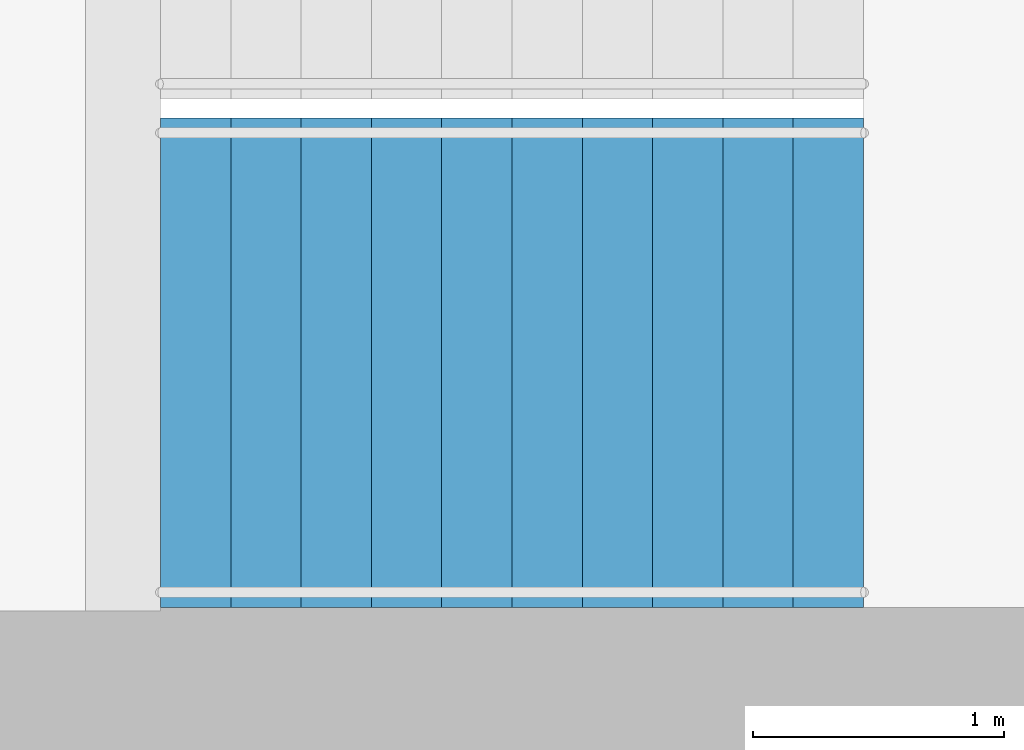
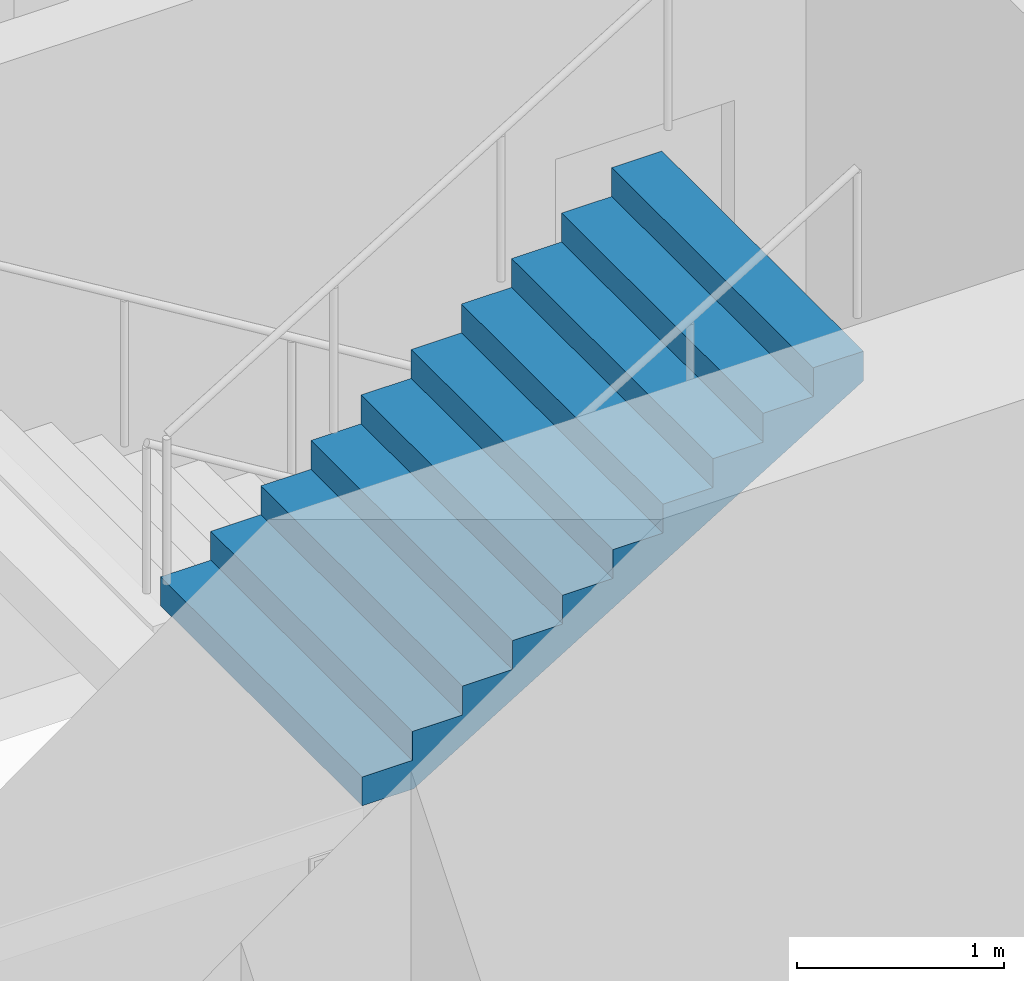
# One storey, part 19 of 21: 1 stair flight, 1 element without a shape of its own.
"""IFC4 building model written with IfcOpenShell, lengths in metres."""

import ifcopenshell
import ifcopenshell.guid

model = None  # the IFC model being written
_history = None  # IfcOwnerHistory: only IFC2X3 demands one
_inside = {}  # id of a spatial element -> (the spatial element, [elements in it])
_under = {}  # id of a project, library or spatial element -> (it, [spatial elements below it])
_declared = {}  # id of a project -> (the project, [libraries it declares])
_typed = {}  # id of a type object -> (the type object, [elements of that type])
_made_of = {}  # id of a material, layer set ... -> (it, [elements and type objects made of it])


def new_model(schema):
    """Start an empty IFC model of exactly this schema.

    Asked for "IFC4X3", IfcOpenShell would pick the latest addendum, in which some entities
    have other attributes; the version numbers below select the first issue.
    IFC2X3 requires an IfcOwnerHistory on every rooted entity: one is made here for all.
    """
    global model, _history
    if schema == "IFC4X3":
        model = ifcopenshell.file(schema_version=(4, 3, 0, 0))
    else:
        model = ifcopenshell.file(schema=schema)
    _inside.clear()
    _under.clear()
    _declared.clear()
    _typed.clear()
    _made_of.clear()
    _history = None
    if model.schema == "IFC2X3":
        org = make("IfcOrganization", Name="unknown")
        user = make(
            "IfcPersonAndOrganization",
            ThePerson=make("IfcPerson", FamilyName="unknown"),
            TheOrganization=org,
        )
        app = make(
            "IfcApplication",
            ApplicationDeveloper=org,
            Version="unknown",
            ApplicationFullName="unknown",
            ApplicationIdentifier="unknown",
        )
        _history = make(
            "IfcOwnerHistory",
            OwningUser=user,
            OwningApplication=app,
            ChangeAction="ADDED",
            CreationDate=0,
        )
    return model


def make(cls, **values):
    """One entity of the class cls with the attributes given. An attribute that is None is left unset."""
    return model.create_entity(
        cls, **{name: value for name, value in values.items() if value is not None}
    )


def rooted(cls, **values):
    """An entity with a GlobalId (a new one), such as an element, a storey or a relation."""
    return make(cls, GlobalId=ifcopenshell.guid.new(), OwnerHistory=_history, **values)


def si_unit(unit_type, name, prefix=None):
    """IfcSIUnit, for example si_unit("LENGTHUNIT", "METRE", prefix="MILLI")."""
    return make("IfcSIUnit", UnitType=unit_type, Prefix=prefix, Name=name)


def assignment(units):
    """IfcUnitAssignment: the units of a project."""
    return None if units is None else make("IfcUnitAssignment", Units=units)


def point(xyz):
    """IfcCartesianPoint."""
    return None if xyz is None else make("IfcCartesianPoint", Coordinates=xyz)


def direction(xyz):
    """IfcDirection."""
    return None if xyz is None else make("IfcDirection", DirectionRatios=xyz)


def frame(location, z_axis=None, x_axis=None):
    """IfcAxis2Placement3D, a coordinate frame: its origin and axes. An axis left out is left unset."""
    return make(
        "IfcAxis2Placement3D",
        Location=point(location),
        Axis=direction(z_axis),
        RefDirection=direction(x_axis),
    )


def origin():
    """The frame at (0, 0, 0) with its axes left unset."""
    return frame((0.0, 0.0, 0.0))


def place(relative_to, where):
    """IfcLocalPlacement: puts the frame where relative to a parent placement (None: the world)."""
    return make(
        "IfcLocalPlacement", PlacementRelTo=relative_to, RelativePlacement=where
    )


def context(
    kind, dimensions, precision=None, world=None, true_north=None, identifier=None
):
    """IfcGeometricRepresentationContext, for example the 3D "Model" context."""
    return make(
        "IfcGeometricRepresentationContext",
        ContextIdentifier=identifier,
        ContextType=kind,
        CoordinateSpaceDimension=dimensions,
        Precision=precision,
        WorldCoordinateSystem=world,
        TrueNorth=true_north,
    )


def subcontext(parent, identifier, kind, view, scale=None):
    """IfcGeometricRepresentationSubContext, for example "Body" below "Model"."""
    return make(
        "IfcGeometricRepresentationSubContext",
        ContextIdentifier=identifier,
        ContextType=kind,
        ParentContext=parent,
        TargetScale=scale,
        TargetView=view,
    )


def project(units=None, contexts=None):
    """IfcProject with its units and contexts."""
    return rooted(
        "IfcProject",
        Name="project",
        RepresentationContexts=contexts,
        UnitsInContext=assignment(units),
    )


def spatial(cls, under=None, at=None, **own):
    """A site, building, storey or space (cls), placed at a placement, below another one or the project."""
    s = rooted(cls, ObjectPlacement=at, **own)
    if under is not None:
        _under.setdefault(under.id(), (under, []))[1].append(s)
    return s


def point_list(points):
    """IfcCartesianPointList2D or 3D."""
    cls = (
        "IfcCartesianPointList2D" if len(points[0]) == 2 else "IfcCartesianPointList3D"
    )
    return make(cls, CoordList=points)


def triangles(points, corners, closed=None, point_numbers=None):
    """IfcTriangulatedFaceSet: each triangle names its three corners, points numbered from 1."""
    return make(
        "IfcTriangulatedFaceSet",
        Coordinates=point_list(points),
        Closed=closed,
        CoordIndex=corners,
        PnIndex=point_numbers,
    )


def shape(context_of_items, identifier, shape_type, items):
    """IfcShapeRepresentation: the items that make up one representation, for example the "Body"."""
    return make(
        "IfcShapeRepresentation",
        ContextOfItems=context_of_items,
        RepresentationIdentifier=identifier,
        RepresentationType=shape_type,
        Items=items,
    )


def material(Name=None, Category=None):
    """IfcMaterial."""
    return make("IfcMaterial", Name=Name, Category=Category)


def made_of(thing, what):
    """Note that an element or type object is made of a material, layer set ...; save() writes the relation."""
    if what is not None:
        _made_of.setdefault(what.id(), (what, []))[1].append(thing)
    return thing


def type_object(cls, material=None, **own):
    """A type object (cls), such as IfcWallType, which elements share."""
    return made_of(rooted(cls, **own), material)


def element(
    cls,
    number,
    at=None,
    inside=None,
    cuts=None,
    type_object=None,
    material=None,
    context=None,
    identifier="Body",
    shape_type=None,
    held_by="IfcProductDefinitionShape",
    body=None,
    shapes=None,
    **own,
):
    """One element of the class cls, such as IfcWall. Its Tag is "e" and its number.

    at: its placement. inside: the storey or other place that contains it. cuts: it is an
    opening in that element (IfcRelVoidsElement). A single representation is given by context,
    identifier, shape_type and body (its items); several are given by shapes. held_by: the class
    of the entity that holds the representations. save() writes the other relations.
    """
    e = rooted(cls, Tag="e%d" % number, ObjectPlacement=at, **own)
    if body is not None:
        shapes = [shape(context, identifier, shape_type, body)]
    if shapes is not None:
        e.Representation = make(held_by, Representations=shapes)
    if inside is not None:
        _inside.setdefault(inside.id(), (inside, []))[1].append(e)
    if cuts is not None:
        rooted(
            "IfcRelVoidsElement", RelatingBuildingElement=cuts, RelatedOpeningElement=e
        )
    if type_object is not None:
        _typed.setdefault(type_object.id(), (type_object, []))[1].append(e)
    return made_of(e, material)


def aggregate(whole, parts):
    """IfcRelAggregates: a whole, such as a stair, and the parts it consists of."""
    return rooted("IfcRelAggregates", RelatingObject=whole, RelatedObjects=parts)


def save(model, path):
    """Write the relations noted so far, then the file.

    IfcRelAggregates (storeys below a building ...), IfcRelContainedInSpatialStructure (elements
    in a storey), IfcRelDefinesByType, IfcRelAssociatesMaterial and IfcRelDeclares: one each for
    every whole, place, type object, material and project.
    """
    for whole, parts in _under.values():
        aggregate(whole, parts)
    for where, things in _inside.values():
        rooted(
            "IfcRelContainedInSpatialStructure",
            RelatedElements=things,
            RelatingStructure=where,
        )
    for kind, things in _typed.values():
        rooted("IfcRelDefinesByType", RelatedObjects=things, RelatingType=kind)
    for what, things in _made_of.values():
        rooted("IfcRelAssociatesMaterial", RelatedObjects=things, RelatingMaterial=what)
    for by, libraries in _declared.values():
        rooted("IfcRelDeclares", RelatingContext=by, RelatedDefinitions=libraries)
    model.write(path)


model = new_model("IFC4")

# Units and contexts
model_context = context("Model", 3, precision=1e-05, world=origin(), true_north=direction((0.0, 1.0)))
body_context = subcontext(model_context, "Body", "Model", "MODEL_VIEW")
ifc_project = project(units=[si_unit("LENGTHUNIT", "METRE"), si_unit("AREAUNIT", "SQUARE_METRE"), si_unit("VOLUMEUNIT", "CUBIC_METRE"), si_unit("PLANEANGLEUNIT", "RADIAN"), si_unit("MASSUNIT", "GRAM", prefix="KILO")], contexts=[model_context])

# Site, building, storey
site_placement = place(None, origin())
site = spatial("IfcSite", under=ifc_project, at=site_placement, CompositionType="ELEMENT")
building_placement = place(site_placement, origin())
building = spatial("IfcBuilding", under=site, at=building_placement, Name="Orbita Commons", CompositionType="ELEMENT")
storey_placement = place(building_placement, frame((0.0, 0.0, 110.64990234375)))
storey = spatial("IfcBuildingStorey", under=building, at=storey_placement, Name="L27", CompositionType="ELEMENT", Elevation=110.64990234375)

# Stair, stair flight
ifc_material_1 = material(Name="Precast concrete C40/50", Category="concrete")
stair_type = type_object("IfcStairType", Name="Exit stair S2 2 flights 11 risers 170", PredefinedType="HALF_TURN_STAIR", material=ifc_material_1)
stair_placement = place(storey_placement, origin())
stair = element("IfcStair", 1, at=stair_placement, inside=storey, type_object=stair_type, Name="Exit stair S2 L27", PredefinedType="HALF_TURN_STAIR")
ifc_material_2 = material(Name="Precast concrete C40/50", Category="concrete")
stair_flight_type = type_object("IfcStairFlightType", Name="Stair flight 11 risers 170 x 280", PredefinedType="STRAIGHT", material=ifc_material_2)
stair_flight_placement = place(storey_placement, frame((60.75, 27.25, 1.875), z_axis=(0.0, 0.0, 1.0), x_axis=(1.0, 0.0, 0.0)))
stair_flight = element("IfcStairFlight", 2, at=stair_flight_placement, type_object=stair_flight_type, Name="S2 flight 2", NumberOfRisers=11, NumberOfTreads=10, PredefinedType="STRAIGHT", RiserHeight=0.170454545, TreadLength=0.28, context=body_context, shape_type="Tessellation", body=[
    triangles([(0.0, 0.974976, 0.0), (0.0, 0.974976, 0.021307), (0.0, 0.81248, 0.021307), (0.0, 0.81248, 0.0), (0.0, 0.649984, 0.021307), (0.0, 0.649984, 0.0), (0.0, 0.487488, 0.021307), (0.0, 0.487488, 0.0), (0.0, 0.324992, 0.021307), (0.0, 0.324992, 0.0), (0.0, 0.162496, 0.021307), (0.0, 0.162496, 0.0), (0.0, 0.0, 0.021307), (0.0, 0.0, 0.0), (0.0, -0.162496, 0.021307), (0.0, -0.162496, 0.0), (0.0, -0.324992, 0.021307), (0.0, -0.324992, 0.0), (0.0, -0.487488, 0.021307), (0.0, -0.487488, 0.0), (0.0, -0.649984, 0.021307), (0.0, -0.649984, 0.0), (0.0, -0.81248, 0.021307), (0.0, -0.81248, 0.0), (0.0, -0.974976, 0.021307), (0.0, -0.974976, 0.0), (0.0, 0.974976, 0.042614), (0.0, 0.81248, 0.042614), (0.0, 0.649984, 0.042614), (0.0, 0.487488, 0.042614), (0.0, 0.324992, 0.042614), (0.0, 0.162496, 0.042614), (0.0, 0.0, 0.042614), (0.0, -0.162496, 0.042614), (0.0, -0.324992, 0.042614), (0.0, -0.487488, 0.042614), (0.0, -0.649984, 0.042614), (0.0, -0.81248, 0.042614), (0.0, -0.974976, 0.042614), (0.0, 0.974976, 0.06392), (0.0, 0.81248, 0.06392), (0.0, 0.649984, 0.06392), (0.0, 0.487488, 0.06392), (0.0, 0.324992, 0.06392), (0.0, 0.162496, 0.06392), (0.0, 0.0, 0.06392), (0.0, -0.162496, 0.06392), (0.0, -0.324992, 0.06392), (0.0, -0.487488, 0.06392), (0.0, -0.649984, 0.06392), (0.0, -0.81248, 0.06392), (0.0, -0.974976, 0.06392), (0.0, 0.974976, 0.085227), (0.0, 0.81248, 0.085227), (0.0, 0.649984, 0.085227), (0.0, 0.487488, 0.085227), (0.0, 0.324992, 0.085227), (0.0, 0.162496, 0.085227), (0.0, 0.0, 0.085227), (0.0, -0.162496, 0.085227), (0.0, -0.324992, 0.085227), (0.0, -0.487488, 0.085227), (0.0, -0.649984, 0.085227), (0.0, -0.81248, 0.085227), (0.0, -0.974976, 0.085227), (0.0, 0.974976, 0.106534), (0.0, 0.81248, 0.106534), (0.0, 0.649984, 0.106534), (0.0, 0.487488, 0.106534), (0.0, 0.324992, 0.106534), (0.0, 0.162496, 0.106534), (0.0, 0.0, 0.106534), (0.0, -0.162496, 0.106534), (0.0, -0.324992, 0.106534), (0.0, -0.487488, 0.106534), (0.0, -0.649984, 0.106534), (0.0, -0.81248, 0.106534), (0.0, -0.974976, 0.106534), (0.0, 0.974976, 0.127841), (0.0, 0.81248, 0.127841), (0.0, 0.649984, 0.127841), (0.0, 0.487488, 0.127841), (0.0, 0.324992, 0.127841), (0.0, 0.162496, 0.127841), (0.0, 0.0, 0.127841), (0.0, -0.162496, 0.127841), (0.0, -0.324992, 0.127841), (0.0, -0.487488, 0.127841), (0.0, -0.649984, 0.127841), (0.0, -0.81248, 0.127841), (0.0, -0.974976, 0.127841), (0.0, 0.974976, 0.149148), (0.0, 0.81248, 0.149148), (0.0, 0.649984, 0.149148), (0.0, 0.487488, 0.149148), (0.0, 0.324992, 0.149148), (0.0, 0.162496, 0.149148), (0.0, 0.0, 0.149148), (0.0, -0.162496, 0.149148), (0.0, -0.324992, 0.149148), (0.0, -0.487488, 0.149148), (0.0, -0.649984, 0.149148), (0.0, -0.81248, 0.149148), (0.0, -0.974976, 0.149148), (0.0, 0.974976, 0.170455), (0.0, 0.81248, 0.170455), (0.0, 0.649984, 0.170455), (0.0, 0.487488, 0.170455), (0.0, 0.324992, 0.170455), (0.0, 0.162496, 0.170455), (0.0, 0.0, 0.170455), (0.0, -0.162496, 0.170455), (0.0, -0.324992, 0.170455), (0.0, -0.487488, 0.170455), (0.0, -0.649984, 0.170455), (0.0, -0.81248, 0.170455), (0.0, -0.974976, 0.170455), (0.28, 0.974976, 0.170455), (0.28, 0.81248, 0.170455), (0.28, 0.649984, 0.170455), (0.28, 0.487488, 0.170455), (0.28, 0.324992, 0.170455), (0.28, 0.162496, 0.170455), (0.28, 0.0, 0.170455), (0.28, -0.162496, 0.170455), (0.28, -0.324992, 0.170455), (0.28, -0.487488, 0.170455), (0.28, -0.649984, 0.170455), (0.28, -0.81248, 0.170455), (0.28, -0.974976, 0.170455), (0.28, 0.974976, 0.340909), (0.28, 0.81248, 0.340909), (0.28, 0.649984, 0.340909), (0.28, 0.487488, 0.340909), (0.28, 0.324992, 0.340909), (0.28, 0.162496, 0.340909), (0.28, 0.0, 0.340909), (0.28, -0.162496, 0.340909), (0.28, -0.324992, 0.340909), (0.28, -0.487488, 0.340909), (0.28, -0.649984, 0.340909), (0.28, -0.81248, 0.340909), (0.28, -0.974976, 0.340909), (0.56, 0.974976, 0.340909), (0.56, 0.81248, 0.340909), (0.56, 0.649984, 0.340909), (0.56, 0.487488, 0.340909), (0.56, 0.324992, 0.340909), (0.56, 0.162496, 0.340909), (0.56, 0.0, 0.340909), (0.56, -0.162496, 0.340909), (0.56, -0.324992, 0.340909), (0.56, -0.487488, 0.340909), (0.56, -0.649984, 0.340909), (0.56, -0.81248, 0.340909), (0.56, -0.974976, 0.340909), (0.56, 0.974976, 0.511364), (0.56, 0.81248, 0.511364), (0.56, 0.649984, 0.511364), (0.56, 0.487488, 0.511364), (0.56, 0.324992, 0.511364), (0.56, 0.162496, 0.511364), (0.56, 0.0, 0.511364), (0.56, -0.162496, 0.511364), (0.56, -0.324992, 0.511364), (0.56, -0.487488, 0.511364), (0.56, -0.649984, 0.511364), (0.56, -0.81248, 0.511364), (0.56, -0.974976, 0.511364), (0.84, 0.974976, 0.511364), (0.84, 0.81248, 0.511364), (0.84, 0.649984, 0.511364), (0.84, 0.487488, 0.511364), (0.84, 0.324992, 0.511364), (0.84, 0.162496, 0.511364), (0.84, 0.0, 0.511364), (0.84, -0.162496, 0.511364), (0.84, -0.324992, 0.511364), (0.84, -0.487488, 0.511364), (0.84, -0.649984, 0.511364), (0.84, -0.81248, 0.511364), (0.84, -0.974976, 0.511364), (0.84, 0.974976, 0.681818), (0.84, 0.81248, 0.681818), (0.84, 0.649984, 0.681818), (0.84, 0.487488, 0.681818), (0.84, 0.324992, 0.681818), (0.84, 0.162496, 0.681818), (0.84, 0.0, 0.681818), (0.84, -0.162496, 0.681818), (0.84, -0.324992, 0.681818), (0.84, -0.487488, 0.681818), (0.84, -0.649984, 0.681818), (0.84, -0.81248, 0.681818), (0.84, -0.974976, 0.681818), (1.12, 0.974976, 0.681818), (1.12, 0.81248, 0.681818), (1.12, 0.649984, 0.681818), (1.12, 0.487488, 0.681818), (1.12, 0.324992, 0.681818), (1.12, 0.162496, 0.681818), (1.12, 0.0, 0.681818), (1.12, -0.162496, 0.681818), (1.12, -0.324992, 0.681818), (1.12, -0.487488, 0.681818), (1.12, -0.649984, 0.681818), (1.12, -0.81248, 0.681818), (1.12, -0.974976, 0.681818), (1.12, 0.974976, 0.852273), (1.12, 0.81248, 0.852273), (1.12, 0.649984, 0.852273), (1.12, 0.487488, 0.852273), (1.12, 0.324992, 0.852273), (1.12, 0.162496, 0.852273), (1.12, 0.0, 0.852273), (1.12, -0.162496, 0.852273), (1.12, -0.324992, 0.852273), (1.12, -0.487488, 0.852273), (1.12, -0.649984, 0.852273), (1.12, -0.81248, 0.852273), (1.12, -0.974976, 0.852273), (1.4, 0.974976, 0.852273), (1.4, 0.81248, 0.852273), (1.4, 0.649984, 0.852273), (1.4, 0.487488, 0.852273), (1.4, 0.324992, 0.852273), (1.4, 0.162496, 0.852273), (1.4, 0.0, 0.852273), (1.4, -0.162496, 0.852273), (1.4, -0.324992, 0.852273), (1.4, -0.487488, 0.852273), (1.4, -0.649984, 0.852273), (1.4, -0.81248, 0.852273), (1.4, -0.974976, 0.852273), (1.4, 0.974976, 1.022727), (1.4, 0.81248, 1.022727), (1.4, 0.649984, 1.022727), (1.4, 0.487488, 1.022727), (1.4, 0.324992, 1.022727), (1.4, 0.162496, 1.022727), (1.4, 0.0, 1.022727), (1.4, -0.162496, 1.022727), (1.4, -0.324992, 1.022727), (1.4, -0.487488, 1.022727), (1.4, -0.649984, 1.022727), (1.4, -0.81248, 1.022727), (1.4, -0.974976, 1.022727), (1.68, 0.974976, 1.022727), (1.68, 0.81248, 1.022727), (1.68, 0.649984, 1.022727), (1.68, 0.487488, 1.022727), (1.68, 0.324992, 1.022727), (1.68, 0.162496, 1.022727), (1.68, 0.0, 1.022727), (1.68, -0.162496, 1.022727), (1.68, -0.324992, 1.022727), (1.68, -0.487488, 1.022727), (1.68, -0.649984, 1.022727), (1.68, -0.81248, 1.022727), (1.68, -0.974976, 1.022727), (1.68, 0.974976, 1.193182), (1.68, 0.81248, 1.193182), (1.68, 0.649984, 1.193182), (1.68, 0.487488, 1.193182), (1.68, 0.324992, 1.193182), (1.68, 0.162496, 1.193182), (1.68, 0.0, 1.193182), (1.68, -0.162496, 1.193182), (1.68, -0.324992, 1.193182), (1.68, -0.487488, 1.193182), (1.68, -0.649984, 1.193182), (1.68, -0.81248, 1.193182), (1.68, -0.974976, 1.193182), (1.96, 0.974976, 1.193182), (1.96, 0.81248, 1.193182), (1.96, 0.649984, 1.193182), (1.96, 0.487488, 1.193182), (1.96, 0.324992, 1.193182), (1.96, 0.162496, 1.193182), (1.96, 0.0, 1.193182), (1.96, -0.162496, 1.193182), (1.96, -0.324992, 1.193182), (1.96, -0.487488, 1.193182), (1.96, -0.649984, 1.193182), (1.96, -0.81248, 1.193182), (1.96, -0.974976, 1.193182), (1.96, 0.974976, 1.363636), (1.96, 0.81248, 1.363636), (1.96, 0.649984, 1.363636), (1.96, 0.487488, 1.363636), (1.96, 0.324992, 1.363636), (1.96, 0.162496, 1.363636), (1.96, 0.0, 1.363636), (1.96, -0.162496, 1.363636), (1.96, -0.324992, 1.363636), (1.96, -0.487488, 1.363636), (1.96, -0.649984, 1.363636), (1.96, -0.81248, 1.363636), (1.96, -0.974976, 1.363636), (2.24, 0.974976, 1.363636), (2.24, 0.81248, 1.363636), (2.24, 0.649984, 1.363636), (2.24, 0.487488, 1.363636), (2.24, 0.324992, 1.363636), (2.24, 0.162496, 1.363636), (2.24, 0.0, 1.363636), (2.24, -0.162496, 1.363636), (2.24, -0.324992, 1.363636), (2.24, -0.487488, 1.363636), (2.24, -0.649984, 1.363636), (2.24, -0.81248, 1.363636), (2.24, -0.974976, 1.363636), (2.24, 0.974976, 1.534091), (2.24, 0.81248, 1.534091), (2.24, 0.649984, 1.534091), (2.24, 0.487488, 1.534091), (2.24, 0.324992, 1.534091), (2.24, 0.162496, 1.534091), (2.24, 0.0, 1.534091), (2.24, -0.162496, 1.534091), (2.24, -0.324992, 1.534091), (2.24, -0.487488, 1.534091), (2.24, -0.649984, 1.534091), (2.24, -0.81248, 1.534091), (2.24, -0.974976, 1.534091), (2.52, 0.974976, 1.534091), (2.52, 0.81248, 1.534091), (2.52, 0.649984, 1.534091), (2.52, 0.487488, 1.534091), (2.52, 0.324992, 1.534091), (2.52, 0.162496, 1.534091), (2.52, 0.0, 1.534091), (2.52, -0.162496, 1.534091), (2.52, -0.324992, 1.534091), (2.52, -0.487488, 1.534091), (2.52, -0.649984, 1.534091), (2.52, -0.81248, 1.534091), (2.52, -0.974976, 1.534091), (2.52, 0.974976, 1.704545), (2.52, 0.81248, 1.704545), (2.52, 0.649984, 1.704545), (2.52, 0.487488, 1.704545), (2.52, 0.324992, 1.704545), (2.52, 0.162496, 1.704545), (2.52, 0.0, 1.704545), (2.52, -0.162496, 1.704545), (2.52, -0.324992, 1.704545), (2.52, -0.487488, 1.704545), (2.52, -0.649984, 1.704545), (2.52, -0.81248, 1.704545), (2.52, -0.974976, 1.704545), (2.8, 0.974976, 1.704545), (2.8, 0.81248, 1.704545), (2.8, 0.649984, 1.704545), (2.8, 0.487488, 1.704545), (2.8, 0.324992, 1.704545), (2.8, 0.162496, 1.704545), (2.8, 0.0, 1.704545), (2.8, -0.162496, 1.704545), (2.8, -0.324992, 1.704545), (2.8, -0.487488, 1.704545), (2.8, -0.649984, 1.704545), (2.8, -0.81248, 1.704545), (2.8, -0.974976, 1.704545), (2.8, 0.974976, 1.682609), (2.8, 0.81248, 1.682609), (2.8, 0.649984, 1.682609), (2.8, 0.487488, 1.682609), (2.8, 0.324992, 1.682609), (2.8, 0.162496, 1.682609), (2.8, 0.0, 1.682609), (2.8, -0.162496, 1.682609), (2.8, -0.324992, 1.682609), (2.8, -0.487488, 1.682609), (2.8, -0.649984, 1.682609), (2.8, -0.81248, 1.682609), (2.8, -0.974976, 1.682609), (2.8, 0.974976, 1.660672), (2.8, 0.81248, 1.660672), (2.8, 0.649984, 1.660672), (2.8, 0.487488, 1.660672), (2.8, 0.324992, 1.660672), (2.8, 0.162496, 1.660672), (2.8, 0.0, 1.660672), (2.8, -0.162496, 1.660672), (2.8, -0.324992, 1.660672), (2.8, -0.487488, 1.660672), (2.8, -0.649984, 1.660672), (2.8, -0.81248, 1.660672), (2.8, -0.974976, 1.660672), (2.8, 0.974976, 1.638735), (2.8, 0.81248, 1.638735), (2.8, 0.649984, 1.638735), (2.8, 0.487488, 1.638735), (2.8, 0.324992, 1.638735), (2.8, 0.162496, 1.638735), (2.8, 0.0, 1.638735), (2.8, -0.162496, 1.638735), (2.8, -0.324992, 1.638735), (2.8, -0.487488, 1.638735), (2.8, -0.649984, 1.638735), (2.8, -0.81248, 1.638735), (2.8, -0.974976, 1.638735), (2.8, 0.974976, 1.616798), (2.8, 0.81248, 1.616798), (2.8, 0.649984, 1.616798), (2.8, 0.487488, 1.616798), (2.8, 0.324992, 1.616798), (2.8, 0.162496, 1.616798), (2.8, 0.0, 1.616798), (2.8, -0.162496, 1.616798), (2.8, -0.324992, 1.616798), (2.8, -0.487488, 1.616798), (2.8, -0.649984, 1.616798), (2.8, -0.81248, 1.616798), (2.8, -0.974976, 1.616798), (2.8, 0.974976, 1.594861), (2.8, 0.81248, 1.594861), (2.8, 0.649984, 1.594861), (2.8, 0.487488, 1.594861), (2.8, 0.324992, 1.594861), (2.8, 0.162496, 1.594861), (2.8, 0.0, 1.594861), (2.8, -0.162496, 1.594861), (2.8, -0.324992, 1.594861), (2.8, -0.487488, 1.594861), (2.8, -0.649984, 1.594861), (2.8, -0.81248, 1.594861), (2.8, -0.974976, 1.594861), (2.8, 0.974976, 1.572925), (2.8, 0.81248, 1.572925), (2.8, 0.649984, 1.572925), (2.8, 0.487488, 1.572925), (2.8, 0.324992, 1.572925), (2.8, 0.162496, 1.572925), (2.8, 0.0, 1.572925), (2.8, -0.162496, 1.572925), (2.8, -0.324992, 1.572925), (2.8, -0.487488, 1.572925), (2.8, -0.649984, 1.572925), (2.8, -0.81248, 1.572925), (2.8, -0.974976, 1.572925), (2.8, 0.974976, 1.550988), (2.8, 0.81248, 1.550988), (2.8, 0.649984, 1.550988), (2.8, 0.487488, 1.550988), (2.8, 0.324992, 1.550988), (2.8, 0.162496, 1.550988), (2.8, 0.0, 1.550988), (2.8, -0.162496, 1.550988), (2.8, -0.324992, 1.550988), (2.8, -0.487488, 1.550988), (2.8, -0.649984, 1.550988), (2.8, -0.81248, 1.550988), (2.8, -0.974976, 1.550988), (2.8, 0.974976, 1.529051), (2.8, 0.81248, 1.529051), (2.8, 0.649984, 1.529051), (2.8, 0.487488, 1.529051), (2.8, 0.324992, 1.529051), (2.8, 0.162496, 1.529051), (2.8, 0.0, 1.529051), (2.8, -0.162496, 1.529051), (2.8, -0.324992, 1.529051), (2.8, -0.487488, 1.529051), (2.8, -0.649984, 1.529051), (2.8, -0.81248, 1.529051), (2.8, -0.974976, 1.529051), (0.288279, 0.974976, 0.0), (0.288279, 0.81248, 0.0), (0.288279, 0.649984, 0.0), (0.288279, 0.487488, 0.0), (0.288279, 0.324992, 0.0), (0.288279, 0.162496, 0.0), (0.288279, 0.0, 0.0), (0.288279, -0.162496, 0.0), (0.288279, -0.324992, 0.0), (0.288279, -0.487488, 0.0), (0.288279, -0.649984, 0.0), (0.288279, -0.81248, 0.0), (0.288279, -0.974976, 0.0)], [[3, 2, 1], [4, 3, 1], [5, 3, 4], [6, 5, 4], [7, 5, 6], [8, 7, 6], [9, 7, 8], [10, 9, 8], [11, 9, 10], [12, 11, 10], [13, 11, 12], [14, 13, 12], [15, 13, 14], [16, 15, 14], [17, 15, 16], [18, 17, 16], [19, 17, 18], [20, 19, 18], [21, 19, 20], [22, 21, 20], [23, 21, 22], [24, 23, 22], [25, 23, 24], [26, 25, 24], [28, 27, 2], [3, 28, 2], [29, 28, 3], [5, 29, 3], [30, 29, 5], [7, 30, 5], [31, 30, 7], [9, 31, 7], [32, 31, 9], [11, 32, 9], [33, 32, 11], [13, 33, 11], [34, 33, 13], [15, 34, 13], [35, 34, 15], [17, 35, 15], [36, 35, 17], [19, 36, 17], [37, 36, 19], [21, 37, 19], [38, 37, 21], [23, 38, 21], [39, 38, 23], [25, 39, 23], [41, 40, 27], [28, 41, 27], [42, 41, 28], [29, 42, 28], [43, 42, 29], [30, 43, 29], [44, 43, 30], [31, 44, 30], [45, 44, 31], [32, 45, 31], [46, 45, 32], [33, 46, 32], [47, 46, 33], [34, 47, 33], [48, 47, 34], [35, 48, 34], [49, 48, 35], [36, 49, 35], [50, 49, 36], [37, 50, 36], [51, 50, 37], [38, 51, 37], [52, 51, 38], [39, 52, 38], [54, 53, 40], [41, 54, 40], [55, 54, 41], [42, 55, 41], [56, 55, 42], [43, 56, 42], [57, 56, 43], [44, 57, 43], [58, 57, 44], [45, 58, 44], [59, 58, 45], [46, 59, 45], [60, 59, 46], [47, 60, 46], [61, 60, 47], [48, 61, 47], [62, 61, 48], [49, 62, 48], [63, 62, 49], [50, 63, 49], [64, 63, 50], [51, 64, 50], [65, 64, 51], [52, 65, 51], [67, 66, 53], [54, 67, 53], [68, 67, 54], [55, 68, 54], [69, 68, 55], [56, 69, 55], [70, 69, 56], [57, 70, 56], [71, 70, 57], [58, 71, 57], [72, 71, 58], [59, 72, 58], [73, 72, 59], [60, 73, 59], [74, 73, 60], [61, 74, 60], [75, 74, 61], [62, 75, 61], [76, 75, 62], [63, 76, 62], [77, 76, 63], [64, 77, 63], [78, 77, 64], [65, 78, 64], [80, 79, 66], [67, 80, 66], [81, 80, 67], [68, 81, 67], [82, 81, 68], [69, 82, 68], [83, 82, 69], [70, 83, 69], [84, 83, 70], [71, 84, 70], [85, 84, 71], [72, 85, 71], [86, 85, 72], [73, 86, 72], [87, 86, 73], [74, 87, 73], [88, 87, 74], [75, 88, 74], [89, 88, 75], [76, 89, 75], [90, 89, 76], [77, 90, 76], [91, 90, 77], [78, 91, 77], [93, 92, 79], [80, 93, 79], [94, 93, 80], [81, 94, 80], [95, 94, 81], [82, 95, 81], [96, 95, 82], [83, 96, 82], [97, 96, 83], [84, 97, 83], [98, 97, 84], [85, 98, 84], [99, 98, 85], [86, 99, 85], [100, 99, 86], [87, 100, 86], [101, 100, 87], [88, 101, 87], [102, 101, 88], [89, 102, 88], [103, 102, 89], [90, 103, 89], [104, 103, 90], [91, 104, 90], [106, 105, 92], [93, 106, 92], [107, 106, 93], [94, 107, 93], [108, 107, 94], [95, 108, 94], [109, 108, 95], [96, 109, 95], [110, 109, 96], [97, 110, 96], [111, 110, 97], [98, 111, 97], [112, 111, 98], [99, 112, 98], [113, 112, 99], [100, 113, 99], [114, 113, 100], [101, 114, 100], [115, 114, 101], [102, 115, 101], [116, 115, 102], [103, 116, 102], [117, 116, 103], [104, 117, 103], [119, 118, 105], [106, 119, 105], [120, 119, 106], [107, 120, 106], [121, 120, 107], [108, 121, 107], [122, 121, 108], [109, 122, 108], [123, 122, 109], [110, 123, 109], [124, 123, 110], [111, 124, 110], [125, 124, 111], [112, 125, 111], [126, 125, 112], [113, 126, 112], [127, 126, 113], [114, 127, 113], [128, 127, 114], [115, 128, 114], [129, 128, 115], [116, 129, 115], [130, 129, 116], [117, 130, 116], [132, 131, 118], [119, 132, 118], [133, 132, 119], [120, 133, 119], [134, 133, 120], [121, 134, 120], [135, 134, 121], [122, 135, 121], [136, 135, 122], [123, 136, 122], [137, 136, 123], [124, 137, 123], [138, 137, 124], [125, 138, 124], [139, 138, 125], [126, 139, 125], [140, 139, 126], [127, 140, 126], [141, 140, 127], [128, 141, 127], [142, 141, 128], [129, 142, 128], [143, 142, 129], [130, 143, 129], [145, 144, 131], [132, 145, 131], [146, 145, 132], [133, 146, 132], [147, 146, 133], [134, 147, 133], [148, 147, 134], [135, 148, 134], [149, 148, 135], [136, 149, 135], [150, 149, 136], [137, 150, 136], [151, 150, 137], [138, 151, 137], [152, 151, 138], [139, 152, 138], [153, 152, 139], [140, 153, 139], [154, 153, 140], [141, 154, 140], [155, 154, 141], [142, 155, 141], [156, 155, 142], [143, 156, 142], [158, 157, 144], [145, 158, 144], [159, 158, 145], [146, 159, 145], [160, 159, 146], [147, 160, 146], [161, 160, 147], [148, 161, 147], [162, 161, 148], [149, 162, 148], [163, 162, 149], [150, 163, 149], [164, 163, 150], [151, 164, 150], [165, 164, 151], [152, 165, 151], [166, 165, 152], [153, 166, 152], [167, 166, 153], [154, 167, 153], [168, 167, 154], [155, 168, 154], [169, 168, 155], [156, 169, 155], [171, 170, 157], [158, 171, 157], [172, 171, 158], [159, 172, 158], [173, 172, 159], [160, 173, 159], [174, 173, 160], [161, 174, 160], [175, 174, 161], [162, 175, 161], [176, 175, 162], [163, 176, 162], [177, 176, 163], [164, 177, 163], [178, 177, 164], [165, 178, 164], [179, 178, 165], [166, 179, 165], [180, 179, 166], [167, 180, 166], [181, 180, 167], [168, 181, 167], [182, 181, 168], [169, 182, 168], [184, 183, 170], [171, 184, 170], [185, 184, 171], [172, 185, 171], [186, 185, 172], [173, 186, 172], [187, 186, 173], [174, 187, 173], [188, 187, 174], [175, 188, 174], [189, 188, 175], [176, 189, 175], [190, 189, 176], [177, 190, 176], [191, 190, 177], [178, 191, 177], [192, 191, 178], [179, 192, 178], [193, 192, 179], [180, 193, 179], [194, 193, 180], [181, 194, 180], [195, 194, 181], [182, 195, 181], [197, 196, 183], [184, 197, 183], [198, 197, 184], [185, 198, 184], [199, 198, 185], [186, 199, 185], [200, 199, 186], [187, 200, 186], [201, 200, 187], [188, 201, 187], [202, 201, 188], [189, 202, 188], [203, 202, 189], [190, 203, 189], [204, 203, 190], [191, 204, 190], [205, 204, 191], [192, 205, 191], [206, 205, 192], [193, 206, 192], [207, 206, 193], [194, 207, 193], [208, 207, 194], [195, 208, 194], [210, 209, 196], [197, 210, 196], [211, 210, 197], [198, 211, 197], [212, 211, 198], [199, 212, 198], [213, 212, 199], [200, 213, 199], [214, 213, 200], [201, 214, 200], [215, 214, 201], [202, 215, 201], [216, 215, 202], [203, 216, 202], [217, 216, 203], [204, 217, 203], [218, 217, 204], [205, 218, 204], [219, 218, 205], [206, 219, 205], [220, 219, 206], [207, 220, 206], [221, 220, 207], [208, 221, 207], [223, 222, 209], [210, 223, 209], [224, 223, 210], [211, 224, 210], [225, 224, 211], [212, 225, 211], [226, 225, 212], [213, 226, 212], [227, 226, 213], [214, 227, 213], [228, 227, 214], [215, 228, 214], [229, 228, 215], [216, 229, 215], [230, 229, 216], [217, 230, 216], [231, 230, 217], [218, 231, 217], [232, 231, 218], [219, 232, 218], [233, 232, 219], [220, 233, 219], [234, 233, 220], [221, 234, 220], [236, 235, 222], [223, 236, 222], [237, 236, 223], [224, 237, 223], [238, 237, 224], [225, 238, 224], [239, 238, 225], [226, 239, 225], [240, 239, 226], [227, 240, 226], [241, 240, 227], [228, 241, 227], [242, 241, 228], [229, 242, 228], [243, 242, 229], [230, 243, 229], [244, 243, 230], [231, 244, 230], [245, 244, 231], [232, 245, 231], [246, 245, 232], [233, 246, 232], [247, 246, 233], [234, 247, 233], [249, 248, 235], [236, 249, 235], [250, 249, 236], [237, 250, 236], [251, 250, 237], [238, 251, 237], [252, 251, 238], [239, 252, 238], [253, 252, 239], [240, 253, 239], [254, 253, 240], [241, 254, 240], [255, 254, 241], [242, 255, 241], [256, 255, 242], [243, 256, 242], [257, 256, 243], [244, 257, 243], [258, 257, 244], [245, 258, 244], [259, 258, 245], [246, 259, 245], [260, 259, 246], [247, 260, 246], [262, 261, 248], [249, 262, 248], [263, 262, 249], [250, 263, 249], [264, 263, 250], [251, 264, 250], [265, 264, 251], [252, 265, 251], [266, 265, 252], [253, 266, 252], [267, 266, 253], [254, 267, 253], [268, 267, 254], [255, 268, 254], [269, 268, 255], [256, 269, 255], [270, 269, 256], [257, 270, 256], [271, 270, 257], [258, 271, 257], [272, 271, 258], [259, 272, 258], [273, 272, 259], [260, 273, 259], [275, 274, 261], [262, 275, 261], [276, 275, 262], [263, 276, 262], [277, 276, 263], [264, 277, 263], [278, 277, 264], [265, 278, 264], [279, 278, 265], [266, 279, 265], [280, 279, 266], [267, 280, 266], [281, 280, 267], [268, 281, 267], [282, 281, 268], [269, 282, 268], [283, 282, 269], [270, 283, 269], [284, 283, 270], [271, 284, 270], [285, 284, 271], [272, 285, 271], [286, 285, 272], [273, 286, 272], [288, 287, 274], [275, 288, 274], [289, 288, 275], [276, 289, 275], [290, 289, 276], [277, 290, 276], [291, 290, 277], [278, 291, 277], [292, 291, 278], [279, 292, 278], [293, 292, 279], [280, 293, 279], [294, 293, 280], [281, 294, 280], [295, 294, 281], [282, 295, 281], [296, 295, 282], [283, 296, 282], [297, 296, 283], [284, 297, 283], [298, 297, 284], [285, 298, 284], [299, 298, 285], [286, 299, 285], [301, 300, 287], [288, 301, 287], [302, 301, 288], [289, 302, 288], [303, 302, 289], [290, 303, 289], [304, 303, 290], [291, 304, 290], [305, 304, 291], [292, 305, 291], [306, 305, 292], [293, 306, 292], [307, 306, 293], [294, 307, 293], [308, 307, 294], [295, 308, 294], [309, 308, 295], [296, 309, 295], [310, 309, 296], [297, 310, 296], [311, 310, 297], [298, 311, 297], [312, 311, 298], [299, 312, 298], [314, 313, 300], [301, 314, 300], [315, 314, 301], [302, 315, 301], [316, 315, 302], [303, 316, 302], [317, 316, 303], [304, 317, 303], [318, 317, 304], [305, 318, 304], [319, 318, 305], [306, 319, 305], [320, 319, 306], [307, 320, 306], [321, 320, 307], [308, 321, 307], [322, 321, 308], [309, 322, 308], [323, 322, 309], [310, 323, 309], [324, 323, 310], [311, 324, 310], [325, 324, 311], [312, 325, 311], [327, 326, 313], [314, 327, 313], [328, 327, 314], [315, 328, 314], [329, 328, 315], [316, 329, 315], [330, 329, 316], [317, 330, 316], [331, 330, 317], [318, 331, 317], [332, 331, 318], [319, 332, 318], [333, 332, 319], [320, 333, 319], [334, 333, 320], [321, 334, 320], [335, 334, 321], [322, 335, 321], [336, 335, 322], [323, 336, 322], [337, 336, 323], [324, 337, 323], [338, 337, 324], [325, 338, 324], [340, 339, 326], [327, 340, 326], [341, 340, 327], [328, 341, 327], [342, 341, 328], [329, 342, 328], [343, 342, 329], [330, 343, 329], [344, 343, 330], [331, 344, 330], [345, 344, 331], [332, 345, 331], [346, 345, 332], [333, 346, 332], [347, 346, 333], [334, 347, 333], [348, 347, 334], [335, 348, 334], [349, 348, 335], [336, 349, 335], [350, 349, 336], [337, 350, 336], [351, 350, 337], [338, 351, 337], [353, 352, 339], [340, 353, 339], [354, 353, 340], [341, 354, 340], [355, 354, 341], [342, 355, 341], [356, 355, 342], [343, 356, 342], [357, 356, 343], [344, 357, 343], [358, 357, 344], [345, 358, 344], [359, 358, 345], [346, 359, 345], [360, 359, 346], [347, 360, 346], [361, 360, 347], [348, 361, 347], [362, 361, 348], [349, 362, 348], [363, 362, 349], [350, 363, 349], [364, 363, 350], [351, 364, 350], [366, 365, 352], [353, 366, 352], [367, 366, 353], [354, 367, 353], [368, 367, 354], [355, 368, 354], [369, 368, 355], [356, 369, 355], [370, 369, 356], [357, 370, 356], [371, 370, 357], [358, 371, 357], [372, 371, 358], [359, 372, 358], [373, 372, 359], [360, 373, 359], [374, 373, 360], [361, 374, 360], [375, 374, 361], [362, 375, 361], [376, 375, 362], [363, 376, 362], [377, 376, 363], [364, 377, 363], [379, 378, 365], [366, 379, 365], [380, 379, 366], [367, 380, 366], [381, 380, 367], [368, 381, 367], [382, 381, 368], [369, 382, 368], [383, 382, 369], [370, 383, 369], [384, 383, 370], [371, 384, 370], [385, 384, 371], [372, 385, 371], [386, 385, 372], [373, 386, 372], [387, 386, 373], [374, 387, 373], [388, 387, 374], [375, 388, 374], [389, 388, 375], [376, 389, 375], [390, 389, 376], [377, 390, 376], [392, 391, 378], [379, 392, 378], [393, 392, 379], [380, 393, 379], [394, 393, 380], [381, 394, 380], [395, 394, 381], [382, 395, 381], [396, 395, 382], [383, 396, 382], [397, 396, 383], [384, 397, 383], [398, 397, 384], [385, 398, 384], [399, 398, 385], [386, 399, 385], [400, 399, 386], [387, 400, 386], [401, 400, 387], [388, 401, 387], [402, 401, 388], [389, 402, 388], [403, 402, 389], [390, 403, 389], [405, 404, 391], [392, 405, 391], [406, 405, 392], [393, 406, 392], [407, 406, 393], [394, 407, 393], [408, 407, 394], [395, 408, 394], [409, 408, 395], [396, 409, 395], [410, 409, 396], [397, 410, 396], [411, 410, 397], [398, 411, 397], [412, 411, 398], [399, 412, 398], [413, 412, 399], [400, 413, 399], [414, 413, 400], [401, 414, 400], [415, 414, 401], [402, 415, 401], [416, 415, 402], [403, 416, 402], [418, 417, 404], [405, 418, 404], [419, 418, 405], [406, 419, 405], [420, 419, 406], [407, 420, 406], [421, 420, 407], [408, 421, 407], [422, 421, 408], [409, 422, 408], [423, 422, 409], [410, 423, 409], [424, 423, 410], [411, 424, 410], [425, 424, 411], [412, 425, 411], [426, 425, 412], [413, 426, 412], [427, 426, 413], [414, 427, 413], [428, 427, 414], [415, 428, 414], [429, 428, 415], [416, 429, 415], [431, 430, 417], [418, 431, 417], [432, 431, 418], [419, 432, 418], [433, 432, 419], [420, 433, 419], [434, 433, 420], [421, 434, 420], [435, 434, 421], [422, 435, 421], [436, 435, 422], [423, 436, 422], [437, 436, 423], [424, 437, 423], [438, 437, 424], [425, 438, 424], [439, 438, 425], [426, 439, 425], [440, 439, 426], [427, 440, 426], [441, 440, 427], [428, 441, 427], [442, 441, 428], [429, 442, 428], [444, 443, 430], [431, 444, 430], [445, 444, 431], [432, 445, 431], [446, 445, 432], [433, 446, 432], [447, 446, 433], [434, 447, 433], [448, 447, 434], [435, 448, 434], [449, 448, 435], [436, 449, 435], [450, 449, 436], [437, 450, 436], [451, 450, 437], [438, 451, 437], [452, 451, 438], [439, 452, 438], [453, 452, 439], [440, 453, 439], [454, 453, 440], [441, 454, 440], [455, 454, 441], [442, 455, 441], [457, 456, 443], [444, 457, 443], [458, 457, 444], [445, 458, 444], [459, 458, 445], [446, 459, 445], [460, 459, 446], [447, 460, 446], [461, 460, 447], [448, 461, 447], [462, 461, 448], [449, 462, 448], [463, 462, 449], [450, 463, 449], [464, 463, 450], [451, 464, 450], [465, 464, 451], [452, 465, 451], [466, 465, 452], [453, 466, 452], [467, 466, 453], [454, 467, 453], [468, 467, 454], [455, 468, 454], [470, 469, 456], [457, 470, 456], [471, 470, 457], [458, 471, 457], [472, 471, 458], [459, 472, 458], [473, 472, 459], [460, 473, 459], [474, 473, 460], [461, 474, 460], [475, 474, 461], [462, 475, 461], [476, 475, 462], [463, 476, 462], [477, 476, 463], [464, 477, 463], [478, 477, 464], [465, 478, 464], [479, 478, 465], [466, 479, 465], [480, 479, 466], [467, 480, 466], [481, 480, 467], [468, 481, 467], [4, 1, 469], [470, 4, 469], [6, 4, 470], [471, 6, 470], [8, 6, 471], [472, 8, 471], [10, 8, 472], [473, 10, 472], [12, 10, 473], [474, 12, 473], [14, 12, 474], [475, 14, 474], [16, 14, 475], [476, 16, 475], [18, 16, 476], [477, 18, 476], [20, 18, 477], [478, 20, 477], [22, 20, 478], [479, 22, 478], [24, 22, 479], [480, 24, 479], [26, 24, 480], [481, 26, 480], [456, 469, 1], [26, 481, 468], [443, 456, 1], [26, 468, 455], [430, 443, 1], [26, 455, 442], [417, 430, 1], [26, 442, 429], [404, 417, 1], [26, 429, 416], [391, 404, 1], [26, 416, 403], [378, 391, 1], [26, 403, 390], [365, 378, 1], [26, 390, 377], [339, 352, 365], [377, 364, 351], [326, 339, 365], [377, 351, 338], [300, 313, 326], [338, 325, 312], [300, 326, 365], [377, 338, 312], [274, 287, 300], [312, 299, 286], [274, 300, 365], [377, 312, 286], [248, 261, 274], [286, 273, 260], [248, 274, 365], [377, 286, 260], [222, 235, 248], [260, 247, 234], [222, 248, 365], [377, 260, 234], [196, 209, 222], [234, 221, 208], [196, 222, 365], [377, 234, 208], [170, 183, 196], [208, 195, 182], [170, 196, 365], [377, 208, 182], [144, 157, 170], [182, 169, 156], [144, 170, 365], [377, 182, 156], [118, 131, 144], [156, 143, 130], [118, 144, 365], [377, 156, 130], [118, 365, 1], [26, 377, 130], [92, 105, 118], [130, 117, 104], [79, 92, 118], [130, 104, 91], [66, 79, 118], [130, 91, 78], [53, 66, 118], [130, 78, 65], [40, 53, 118], [130, 65, 52], [27, 40, 118], [130, 52, 39], [2, 27, 118], [130, 39, 25], [1, 2, 118], [130, 25, 26]], closed=True),
])
aggregate(stair, [stair_flight])

save(model, "model.ifc")
